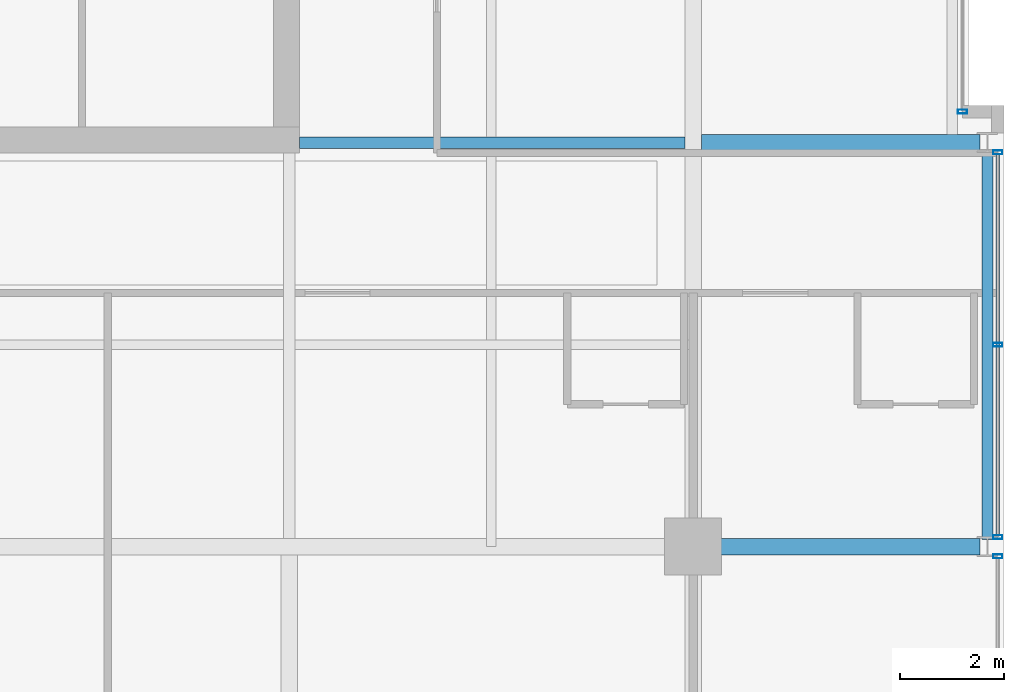
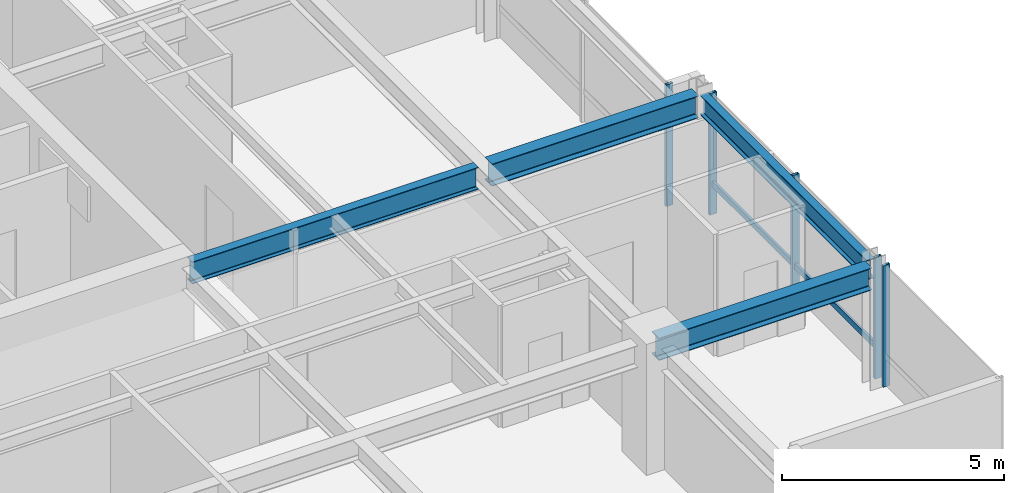
# One storey, part 13 of 31: 6 members, 4 beams, 3 elements without a shape of their own.
"""IFC4 building model written with IfcOpenShell, lengths in metres."""

from ifc_helpers import new_model, si_unit, direction, frame, origin, origin_2d, place, context, subcontext, project, spatial, hollow_rectangle, i_section, extrude, material, layer, layer_set, material_profile, profile_set, type_object, element, aggregate, save


model = new_model("IFC4")

# Units and contexts
model_context = context("Model", 3, precision=1e-05, world=origin(), true_north=direction((0.0, 1.0)))
body_context = subcontext(model_context, "Body", "Model", "MODEL_VIEW")
ifc_project = project(units=[si_unit("LENGTHUNIT", "METRE"), si_unit("AREAUNIT", "SQUARE_METRE"), si_unit("VOLUMEUNIT", "CUBIC_METRE"), si_unit("PLANEANGLEUNIT", "RADIAN"), si_unit("MASSUNIT", "GRAM", prefix="KILO")], contexts=[model_context])

# Site, building, storey
site_placement = place(None, origin())
site = spatial("IfcSite", under=ifc_project, at=site_placement, CompositionType="ELEMENT")
building_placement = place(site_placement, origin())
building = spatial("IfcBuilding", under=site, at=building_placement, Name="Drelvath Grand Hotel", CompositionType="ELEMENT")
storey_placement = place(building_placement, frame((0.0, 0.0, 219.5)))
storey = spatial("IfcBuildingStorey", under=building, at=storey_placement, Name="L57", CompositionType="ELEMENT", Elevation=219.5)

# Curtain wall, member
ifc_material_1 = material(Name="Platinum-Mist Anodised Aluminium Frame", Category="aluminium")
ifc_layer = layer(ifc_material_1, 0.199951171875)
ifc_layer_set = layer_set([ifc_layer], Name="Platinum-Mist Anodised Aluminium Frame")
curtain_wall_type = type_object("IfcCurtainWallType", Name="Stick Curtain Wall CW-05 Platinum Mist High-Rise", PredefinedType="NOTDEFINED", material=ifc_layer_set)
curtain_wall_1_placement = place(storey_placement, origin())
curtain_wall_1 = element("IfcCurtainWall", 1, at=curtain_wall_1_placement, inside=storey, type_object=curtain_wall_type, Name="L57 CW-05 Curtain Wall CW05-L57-ES2", PredefinedType="NOTDEFINED")
ifc_material_profile_1 = material_profile(ifc_material_1, hollow_rectangle(XDim=0.06494140625, YDim=0.159912109375, WallThickness=0.00390625, at=origin_2d()), Name="HSS160X65X4")
ifc_profile_set_1 = profile_set([ifc_material_profile_1], Name="Platinum-Mist Anodised Aluminium Frame")
member_type_1 = type_object("IfcMemberType", Name="Curtain Wall Horizontal Transom CW-05 HSS160X65X4", PredefinedType="USERDEFINED", material=ifc_profile_set_1)
member_1_placement = place(storey_placement, frame((22.080078125, 18.374755859375, 0.8349609375), z_axis=(0.0, -1.0, 0.0), x_axis=(1.0, 0.0, 0.0)))
member_1 = element("IfcMember", 2, at=member_1_placement, type_object=member_type_1, Name="CW05-L57-ES2 Sill Transom", ObjectType="TRANSOM", PredefinedType="USERDEFINED", context=body_context, shape_type="SweptSolid", body=[
    extrude(hollow_rectangle(XDim=0.06494140625, YDim=0.159912109375, WallThickness=0.00390625, at=origin_2d()), origin(), (0.0, 0.0, 1.0), 7.349365234375),
])

curtain_wall_2_placement = place(storey_placement, origin())
curtain_wall_2 = element("IfcCurtainWall", 3, at=curtain_wall_2_placement, inside=storey, type_object=curtain_wall_type, Name="L57 CW-05 Curtain Wall CW05-L57-EM1", PredefinedType="NOTDEFINED")
ifc_material_profile_2 = material_profile(ifc_material_1, hollow_rectangle(XDim=0.074951171875, YDim=0.179931640625, WallThickness=0.0048828125, at=origin_2d()), Name="HSS180X75X5")
ifc_profile_set_2 = profile_set([ifc_material_profile_2], Name="Platinum-Mist Anodised Aluminium Frame")
member_type_2 = type_object("IfcMemberType", Name="Curtain Wall Vertical Mullion CW-05 HSS180X75X5", PredefinedType="MULLION", material=ifc_profile_set_2)
member_2_placement = place(storey_placement, frame((21.39990234375, 19.199951171875, 0.0), z_axis=(0.0, 0.0, 1.0), x_axis=(0.0, 1.0, 0.0)))
member_2 = element("IfcMember", 4, at=member_2_placement, type_object=member_type_2, Name="CW05-L57-EM1 Mullion 3", PredefinedType="MULLION", context=body_context, shape_type="SweptSolid", body=[
    extrude(hollow_rectangle(XDim=0.074951171875, YDim=0.179931640625, WallThickness=0.0048828125, at=origin_2d()), origin(), (0.0, 0.0, 1.0), 3.340087890625),
])
aggregate(curtain_wall_2, [member_2])

curtain_wall_3_placement = place(storey_placement, origin())
curtain_wall_3 = element("IfcCurtainWall", 5, at=curtain_wall_3_placement, inside=storey, type_object=curtain_wall_type, Name="L57 CW-05 Curtain Wall CW05-L57-ES1", PredefinedType="NOTDEFINED")
member_3_placement = place(storey_placement, frame((22.080078125, 10.61474609375, 0.0), z_axis=(0.0, 0.0, 1.0), x_axis=(0.0, 1.0, 0.0)))
member_3 = element("IfcMember", 6, at=member_3_placement, type_object=member_type_2, Name="CW05-L57-ES1 Mullion 1", PredefinedType="MULLION", context=body_context, shape_type="SweptSolid", body=[
    extrude(hollow_rectangle(XDim=0.074951171875, YDim=0.179931640625, WallThickness=0.0048828125, at=origin_2d()), origin(), (0.0, 0.0, 1.0), 3.340087890625),
])
aggregate(curtain_wall_3, [member_3])

# Member
member_4_placement = place(storey_placement, frame((22.080078125, 18.414794921875, 0.0), z_axis=(0.0, 0.0, 1.0), x_axis=(0.0, 1.0, 0.0)))
member_4 = element("IfcMember", 7, at=member_4_placement, type_object=member_type_2, Name="CW05-L57-ES2 Mullion 1", PredefinedType="MULLION", context=body_context, shape_type="SweptSolid", body=[
    extrude(hollow_rectangle(XDim=0.074951171875, YDim=0.179931640625, WallThickness=0.0048828125, at=origin_2d()), origin(), (0.0, 0.0, 1.0), 3.340087890625),
])

member_5_placement = place(storey_placement, frame((22.080078125, 14.699951171875, 0.0), z_axis=(0.0, 0.0, 1.0), x_axis=(0.0, 1.0, 0.0)))
member_5 = element("IfcMember", 8, at=member_5_placement, type_object=member_type_2, Name="CW05-L57-ES2 Mullion 2", PredefinedType="MULLION", context=body_context, shape_type="SweptSolid", body=[
    extrude(hollow_rectangle(XDim=0.074951171875, YDim=0.179931640625, WallThickness=0.0048828125, at=origin_2d()), origin(), (0.0, 0.0, 1.0), 3.340087890625),
])

member_6_placement = place(storey_placement, frame((22.080078125, 10.9853515625, 0.0), z_axis=(0.0, 0.0, 1.0), x_axis=(0.0, 1.0, 0.0)))
member_6 = element("IfcMember", 9, at=member_6_placement, type_object=member_type_2, Name="CW05-L57-ES2 Mullion 3", PredefinedType="MULLION", context=body_context, shape_type="SweptSolid", body=[
    extrude(hollow_rectangle(XDim=0.074951171875, YDim=0.179931640625, WallThickness=0.0048828125, at=origin_2d()), origin(), (0.0, 0.0, 1.0), 3.340087890625),
])

aggregate(curtain_wall_1, [member_4, member_5, member_6, member_1])

# Beams
ifc_material_2 = material(Name="Steel ASTM A992 Gr 50", Category="steel")
ifc_material_profile_3 = material_profile(ifc_material_2, i_section(OverallWidth=0.210205078125, OverallDepth=0.53662109375, WebThickness=0.010986328125, FlangeThickness=0.017333984375, FilletRadius=0.01806640625, at=origin_2d()), Name="W21X68")
ifc_profile_set_3 = profile_set([ifc_material_profile_3], Name="Steel ASTM A992 Gr 50")
beam_type_1 = type_object("IfcBeamType", Name="Perimeter Spandrel Beam W21X68", PredefinedType="SPANDREL", material=ifc_profile_set_3)
beam_1_placement = place(storey_placement, frame((21.8798828125, 10.93994140625, 3.07177734375), z_axis=(0.0, 1.0, 0.0), x_axis=(-1.0, 0.0, 0.0)))
element("IfcBeam", 10, at=beam_1_placement, inside=storey, type_object=beam_type_1, Name="L57 Spandrel East S", PredefinedType="SPANDREL", context=body_context, shape_type="SweptSolid", body=[
    extrude(i_section(OverallWidth=0.210205078125, OverallDepth=0.53662109375, WebThickness=0.010986328125, FlangeThickness=0.017333984375, FilletRadius=0.01806640625, at=origin_2d()), origin(), (0.0, 0.0, 1.0), 7.52001953125),
])
ifc_material_profile_4 = material_profile(ifc_material_2, i_section(OverallWidth=0.323974609375, OverallDepth=0.611083984375, WebThickness=0.0126953125, FlangeThickness=0.01904296875, FilletRadius=0.02197265625, at=origin_2d()), Name="W24X104")
ifc_profile_set_4 = profile_set([ifc_material_profile_4], Name="Steel ASTM A992 Gr 50")
beam_type_2 = type_object("IfcBeamType", Name="Primary Floor Girder W24X104", PredefinedType="BEAM", material=ifc_profile_set_4)
beam_2_placement = place(storey_placement, frame((16.199951171875, 10.800048828125, 3.034423828125), z_axis=(1.0, 0.0, 0.0), x_axis=(0.0, 1.0, 0.0)))
element("IfcBeam", 11, at=beam_2_placement, inside=storey, type_object=beam_type_2, Name="L57 East Grid Girder C", PredefinedType="BEAM", context=body_context, shape_type="SweptSolid", body=[
    extrude(i_section(OverallWidth=0.323974609375, OverallDepth=0.611083984375, WebThickness=0.0126953125, FlangeThickness=0.01904296875, FilletRadius=0.02197265625, at=origin_2d()), origin(), (0.0, 0.0, 1.0), 5.5400390625),
])
beam_3_placement = place(storey_placement, frame((16.362060546875, 18.60009765625, 3.034423828125), z_axis=(1.0, 0.0, 0.0), x_axis=(0.0, 1.0, 0.0)))
element("IfcBeam", 12, at=beam_3_placement, inside=storey, type_object=beam_type_2, Name="L57 East Wing Girder D", PredefinedType="BEAM", context=body_context, shape_type="SweptSolid", body=[
    extrude(i_section(OverallWidth=0.323974609375, OverallDepth=0.611083984375, WebThickness=0.0126953125, FlangeThickness=0.01904296875, FilletRadius=0.02197265625, at=origin_2d()), origin(), (0.0, 0.0, 1.0), 5.3779296875),
])
ifc_material_profile_5 = material_profile(ifc_material_2, i_section(OverallWidth=0.228271484375, OverallDepth=0.607666015625, WebThickness=0.01123046875, FlangeThickness=0.017333984375, FilletRadius=0.02001953125, at=origin_2d()), Name="W24X76")
ifc_profile_set_5 = profile_set([ifc_material_profile_5], Name="Steel ASTM A992 Gr 50")
beam_type_3 = type_object("IfcBeamType", Name="Primary Floor Girder W24X76", PredefinedType="BEAM", material=ifc_profile_set_5)
beam_4_placement = place(storey_placement, frame((8.60009765625, 18.60009765625, 3.0361328125), z_axis=(1.0, 0.0, 0.0), x_axis=(0.0, 1.0, 0.0)))
element("IfcBeam", 13, at=beam_4_placement, inside=storey, type_object=beam_type_3, Name="L57 East Core Tie D", PredefinedType="BEAM", context=body_context, shape_type="SweptSolid", body=[
    extrude(i_section(OverallWidth=0.228271484375, OverallDepth=0.607666015625, WebThickness=0.01123046875, FlangeThickness=0.017333984375, FilletRadius=0.02001953125, at=origin_2d()), origin(), (0.0, 0.0, 1.0), 7.43798828125),
])

save(model, "model.ifc")
